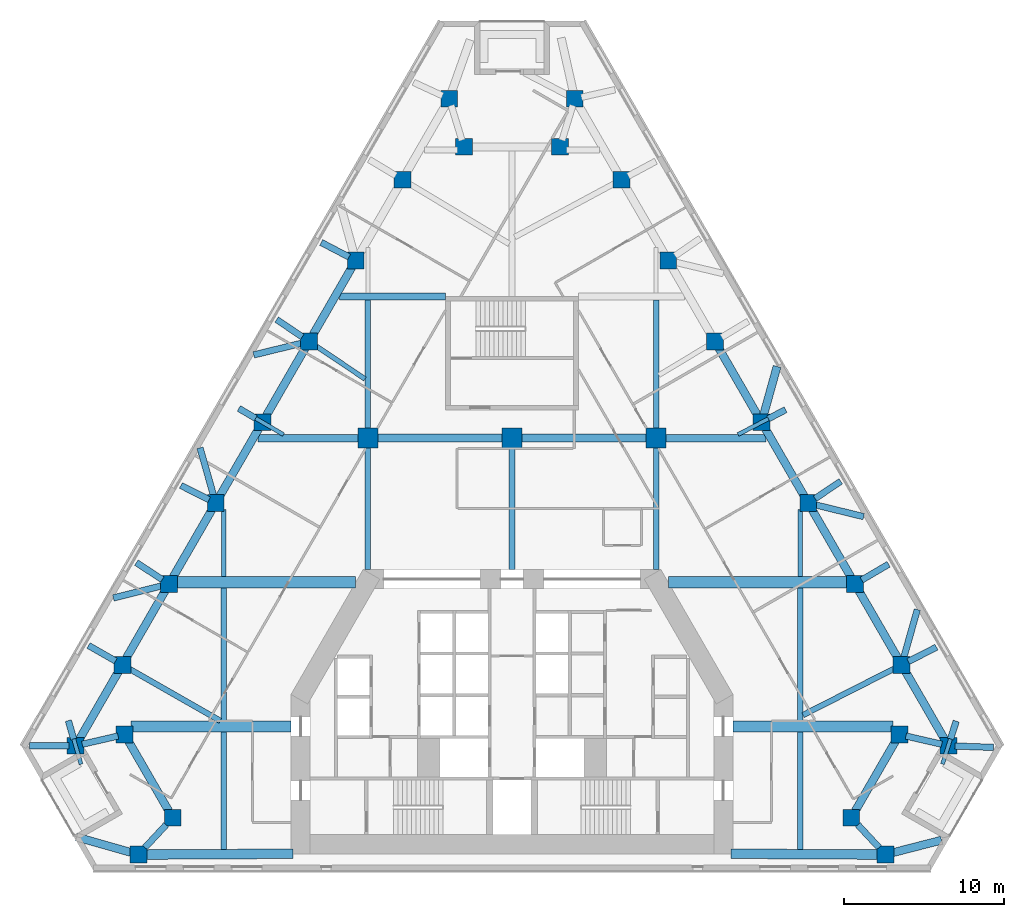
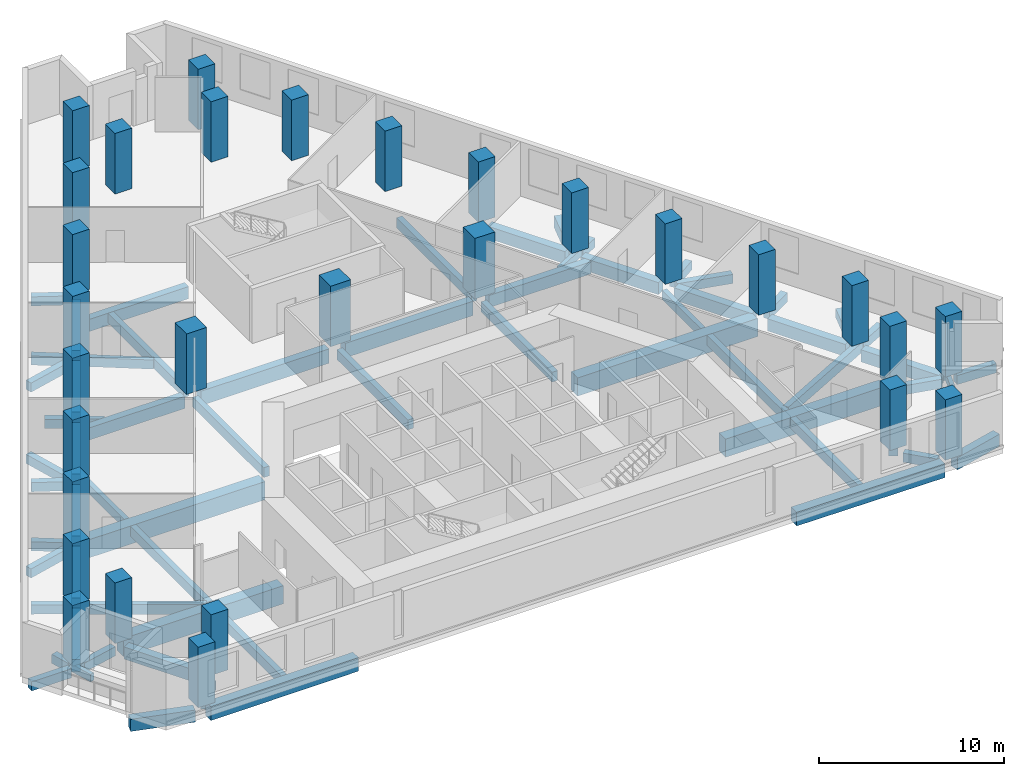
# One storey, part 1 of 9: 68 beams, 29 columns.
"""IFC4 building model written with IfcOpenShell, lengths in metres."""

from ifc_helpers import new_model, si_unit, direction, frame, origin, origin_2d, place, context, subcontext, project, spatial, rectangle, extrude, material, material_profile, profile_set, type_object, element, save


model = new_model("IFC4")

# Units and contexts
model_context = context("Model", 3, precision=1e-05, world=origin(), true_north=direction((0.0, 1.0)))
body_context = subcontext(model_context, "Body", "Model", "MODEL_VIEW")
ifc_project = project(units=[si_unit("LENGTHUNIT", "METRE"), si_unit("AREAUNIT", "SQUARE_METRE"), si_unit("VOLUMEUNIT", "CUBIC_METRE"), si_unit("PLANEANGLEUNIT", "RADIAN"), si_unit("MASSUNIT", "GRAM", prefix="KILO")], contexts=[model_context])

# Site, building, storey
site_placement = place(None, origin())
site = spatial("IfcSite", under=ifc_project, at=site_placement, CompositionType="ELEMENT")
building_placement = place(site_placement, origin())
building = spatial("IfcBuilding", under=site, at=building_placement, Name="Fogline Exchange Tower", CompositionType="ELEMENT")
storey_placement = place(building_placement, frame((0.0, 0.0, 96.10009765625)))
storey = spatial("IfcBuildingStorey", under=building, at=storey_placement, Name="L20", CompositionType="ELEMENT", Elevation=96.10009765625)

# Columns
ifc_material_1 = material(Name="Concrete C70", Category="concrete")
ifc_material_profile_1 = material_profile(ifc_material_1, rectangle(XDim=1.25, YDim=1.25, at=origin_2d()), Name="RC 1250x1250")
ifc_profile_set_1 = profile_set([ifc_material_profile_1], Name="Concrete C70")
column_type_1 = type_object("IfcColumnType", Name="C03", PredefinedType="COLUMN", material=ifc_profile_set_1)
for number, where, z_axis, x_axis, name in (
    (1, (-9.0, 27.0, 0.0), (0.0, 0.0, 1.0), (1.0, 0.0, 0.0), "IC--9-27"),
    (2, (0.0, 27.0, 0.0), (0.0, 0.0, 1.0), (1.0, 0.0, 0.0), "IC-0-27"),
    (3, (9.0, 27.0, 0.0), (0.0, 0.0, 1.0), (1.0, 0.0, 0.0), "IC-9-27"),
):
    element("IfcColumn", number, at=place(storey_placement, frame(where, z_axis=z_axis, x_axis=x_axis)), inside=storey, type_object=column_type_1, Name=name, PredefinedType="COLUMN", context=body_context, shape_type="SweptSolid", body=[
        extrude(rectangle(XDim=1.25, YDim=1.25, at=origin_2d()), origin(), (0.0, 0.0, 1.0), 4.0),
    ])
ifc_material_profile_2 = material_profile(ifc_material_1, rectangle(XDim=1.050048828125, YDim=1.050048828125, at=origin_2d()), Name="RC 1050x1050")
ifc_profile_set_2 = profile_set([ifc_material_profile_2], Name="Concrete C70")
column_type_2 = type_object("IfcColumnType", Name="C04", PredefinedType="COLUMN", material=ifc_profile_set_2)
for number, where, z_axis, x_axis, name in (
    (4, (-27.2490234375, 7.794189453125, 0.0), (0.0, 0.0, 1.0), (1.0, 0.0, 0.0), "SW-a"),
    (5, (-24.189697265625, 8.4951171875, 0.0), (0.0, 0.0, 1.0), (1.0, 0.0, 0.0), "SW-p4"),
    (6, (-21.189697265625, 3.299072265625, 0.0), (0.0, 0.0, 1.0), (1.0, 0.0, 0.0), "SW-p3"),
    (7, (-23.326416015625, 1.0, 0.0), (0.0, 0.0, 1.0), (1.0, 0.0, 0.0), "SW-b"),
    (8, (23.326416015625, 1.0, 0.0), (0.0, 0.0, 1.0), (1.0, 0.0, 0.0), "SE-a"),
    (9, (21.189697265625, 3.299072265625, 0.0), (0.0, 0.0, 1.0), (1.0, 0.0, 0.0), "SE-p4"),
    (10, (24.189697265625, 8.4951171875, 0.0), (0.0, 0.0, 1.0), (1.0, 0.0, 0.0), "SE-p3"),
    (11, (27.2490234375, 7.794189453125, 0.0), (0.0, 0.0, 1.0), (1.0, 0.0, 0.0), "SE-b"),
    (12, (24.333251953125, 12.844482421875, 0.0), (0.0, 0.0, 1.0), (1.0, 0.0, 0.0), "E1"),
    (13, (21.41748046875, 17.894775390625, 0.0), (0.0, 0.0, 1.0), (1.0, 0.0, 0.0), "E2"),
    (14, (18.501708984375, 22.945068359375, 0.0), (0.0, 0.0, 1.0), (1.0, 0.0, 0.0), "E3"),
    (15, (15.585693359375, 27.995361328125, 0.0), (0.0, 0.0, 1.0), (1.0, 0.0, 0.0), "E4"),
    (16, (12.669921875, 33.045654296875, 0.0), (0.0, 0.0, 1.0), (1.0, 0.0, 0.0), "E5"),
    (17, (9.754150390625, 38.095947265625, 0.0), (0.0, 0.0, 1.0), (1.0, 0.0, 0.0), "E6"),
    (18, (6.83837890625, 43.146240234375, 0.0), (0.0, 0.0, 1.0), (1.0, 0.0, 0.0), "E7"),
    (19, (3.922607421875, 48.19677734375, 0.0), (0.0, 0.0, 1.0), (1.0, 0.0, 0.0), "N-a"),
    (20, (3.0, 45.19677734375, 0.0), (0.0, 0.0, 1.0), (1.0, 0.0, 0.0), "N-p4"),
    (21, (-3.0, 45.19677734375, 0.0), (0.0, 0.0, 1.0), (1.0, 0.0, 0.0), "N-p3"),
    (22, (-3.922607421875, 48.19677734375, 0.0), (0.0, 0.0, 1.0), (1.0, 0.0, 0.0), "N-b"),
    (23, (-6.83837890625, 43.146240234375, 0.0), (0.0, 0.0, 1.0), (1.0, 0.0, 0.0), "W1"),
    (24, (-9.754150390625, 38.095947265625, 0.0), (0.0, 0.0, 1.0), (1.0, 0.0, 0.0), "W2"),
    (25, (-12.669921875, 33.045654296875, 0.0), (0.0, 0.0, 1.0), (1.0, 0.0, 0.0), "W3"),
    (26, (-15.585693359375, 27.995361328125, 0.0), (0.0, 0.0, 1.0), (1.0, 0.0, 0.0), "W4"),
    (27, (-18.501708984375, 22.945068359375, 0.0), (0.0, 0.0, 1.0), (1.0, 0.0, 0.0), "W5"),
    (28, (-21.41748046875, 17.894775390625, 0.0), (0.0, 0.0, 1.0), (1.0, 0.0, 0.0), "W6"),
    (29, (-24.333251953125, 12.844482421875, 0.0), (0.0, 0.0, 1.0), (1.0, 0.0, 0.0), "W7"),
):
    element("IfcColumn", number, at=place(storey_placement, frame(where, z_axis=z_axis, x_axis=x_axis)), inside=storey, type_object=column_type_2, Name=name, PredefinedType="COLUMN", context=body_context, shape_type="SweptSolid", body=[
        extrude(rectangle(XDim=1.050048828125, YDim=1.050048828125, at=origin_2d()), origin(), (0.0, 0.0, 1.0), 4.0),
    ])

# Beams
ifc_material_2 = material(Name="Concrete C40", Category="concrete")
ifc_material_profile_3 = material_profile(ifc_material_2, rectangle(XDim=0.300048828125, YDim=0.60009765625, at=origin_2d()), Name="RC 300x600")
ifc_profile_set_3 = profile_set([ifc_material_profile_3], Name="Concrete C40")
beam_type_1 = type_object("IfcBeamType", Name="B06", PredefinedType="BEAM", material=ifc_profile_set_3)
for number, where, z_axis, x_axis, name in (
    (30, (-18.0, 18.35009765625, -0.7001953125), (0.0, 1.0, 0.0), (-1.0, 0.0, 0.0), "SB003"),
    (31, (18.0, 18.35009765625, -0.7001953125), (0.0, 1.0, 0.0), (-1.0, 0.0, 0.0), "SB014"),
):
    element("IfcBeam", number, at=place(storey_placement, frame(where, z_axis=z_axis, x_axis=x_axis)), inside=storey, type_object=beam_type_1, Name=name, PredefinedType="BEAM", context=body_context, shape_type="SweptSolid", body=[
        extrude(rectangle(XDim=0.300048828125, YDim=0.60009765625, at=origin_2d()), origin(), (0.0, 0.0, 1.0), 4.18994140625),
    ])
beam_1_placement = place(storey_placement, frame((-13.195068359375, 33.39794921875, -0.7001953125), z_axis=(0.830401800017, -0.557165011939, 0.0), x_axis=(0.557165011939, 0.830401800017, 0.0)))
element("IfcBeam", 32, at=beam_1_placement, inside=storey, type_object=beam_type_1, Name="SK022", PredefinedType="BEAM", context=body_context, shape_type="SweptSolid", body=[
    extrude(rectangle(XDim=0.300048828125, YDim=0.60009765625, at=origin_2d()), origin(), (0.0, 0.0, 1.0), 4.841064453125),
])
ifc_material_profile_4 = material_profile(ifc_material_2, rectangle(XDim=0.25, YDim=0.5, at=origin_2d()), Name="RC 250x500")
ifc_profile_set_4 = profile_set([ifc_material_profile_4], Name="Concrete C40")
beam_type_2 = type_object("IfcBeamType", Name="B08", PredefinedType="BEAM", material=ifc_profile_set_4)
beam_2_placement = place(storey_placement, frame((-16.11083984375, 28.30322265625, -0.650146484375), z_axis=(0.8626635068, -0.505778285453, 0.0), x_axis=(0.505778285453, 0.8626635068, 0.0)))
element("IfcBeam", 33, at=beam_2_placement, inside=storey, type_object=beam_type_2, Name="SK016", PredefinedType="BEAM", context=body_context, shape_type="SweptSolid", body=[
    extrude(rectangle(XDim=0.25, YDim=0.5, at=origin_2d()), origin(), (0.0, 0.0, 1.0), 2.131591796875),
])
beam_3_placement = place(storey_placement, frame((16.11083984375, 28.27001953125, -0.650146484375), z_axis=(-0.886159772529, -0.463379819966, 0.0), x_axis=(0.463379819966, -0.886159772529, 0.0)))
element("IfcBeam", 34, at=beam_3_placement, inside=storey, type_object=beam_type_2, Name="SK020", PredefinedType="BEAM", context=body_context, shape_type="SweptSolid", body=[
    extrude(rectangle(XDim=0.25, YDim=0.5, at=origin_2d()), origin(), (0.0, 0.0, 1.0), 2.2548828125),
])
beam_4_placement = place(storey_placement, frame((-27.372314453125, 8.218505859375, -0.650146484375), z_axis=(0.279229948212, -0.9602242634, 0.0), x_axis=(0.9602242634, 0.279229948212, 0.0)))
element("IfcBeam", 35, at=beam_4_placement, inside=storey, type_object=beam_type_2, Name="SK023", PredefinedType="BEAM", context=body_context, shape_type="SweptSolid", body=[
    extrude(rectangle(XDim=0.25, YDim=0.5, at=origin_2d()), origin(), (0.0, 0.0, 1.0), 1.643798828125),
])
beam_5_placement = place(storey_placement, frame((27.385009765625, 8.220703125, -0.650146484375), z_axis=(-0.304008781424, -0.95266922949, 0.0), x_axis=(0.95266922949, -0.304008781424, 0.0)))
element("IfcBeam", 36, at=beam_5_placement, inside=storey, type_object=beam_type_2, Name="SK024", PredefinedType="BEAM", context=body_context, shape_type="SweptSolid", body=[
    extrude(rectangle(XDim=0.25, YDim=0.5, at=origin_2d()), origin(), (0.0, 0.0, 1.0), 1.65185546875),
])
ifc_material_profile_5 = material_profile(ifc_material_2, rectangle(XDim=0.60009765625, YDim=0.89990234375, at=origin_2d()), Name="RC 600x900")
ifc_profile_set_5 = profile_set([ifc_material_profile_5], Name="Concrete C40")
beam_type_3 = type_object("IfcBeamType", Name="B09", PredefinedType="BEAM", material=ifc_profile_set_5)
for number, where, z_axis, x_axis, name in (
    (37, (-22.92138671875, 0.998779296875, -0.85009765625), (0.999984168638, 0.005626941799, 0.0), (-0.005626941799, 0.999984168638, 0.0), "RB004"),
    (38, (13.679931640625, 1.05078125, -0.85009765625), (0.999984464538, -0.005574108314, 0.0), (0.005574108314, 0.999984464538, 0.0), "RB005"),
):
    element("IfcBeam", number, at=place(storey_placement, frame(where, z_axis=z_axis, x_axis=x_axis)), inside=storey, type_object=beam_type_3, Name=name, PredefinedType="BEAM", context=body_context, shape_type="SweptSolid", body=[
        extrude(rectangle(XDim=0.60009765625, YDim=0.89990234375, at=origin_2d()), origin(), (0.0, 0.0, 1.0), 9.24169921875),
    ])
ifc_material_profile_6 = material_profile(ifc_material_2, rectangle(XDim=0.5, YDim=0.800048828125, at=origin_2d()), Name="RC 500x800")
ifc_profile_set_6 = profile_set([ifc_material_profile_6], Name="Concrete C40")
beam_type_4 = type_object("IfcBeamType", Name="B10", PredefinedType="BEAM", material=ifc_profile_set_6)
for number, where, z_axis, x_axis, name in (
    (39, (-23.946533203125, 8.07421875, -0.800048828125), (0.500019495363, -0.866014147839, 0.0), (0.866014147839, 0.500019495363, 0.0), "RB002"),
    (40, (21.4326171875, 3.72021484375, -0.800048828125), (0.500019495363, 0.866014147839, 0.0), (-0.866014147839, 0.500019495363, 0.0), "RB007"),
):
    element("IfcBeam", number, at=place(storey_placement, frame(where, z_axis=z_axis, x_axis=x_axis)), inside=storey, type_object=beam_type_4, Name=name, PredefinedType="BEAM", context=body_context, shape_type="SweptSolid", body=[
        extrude(rectangle(XDim=0.5, YDim=0.800048828125, at=origin_2d()), origin(), (0.0, 0.0, 1.0), 5.027587890625),
    ])
beam_6_placement = place(storey_placement, frame((27.005859375, 8.21533203125, -0.800048828125), z_axis=(-0.499970359091, 0.866042516295, 0.0), x_axis=(-0.866042516295, -0.499970359091, 0.0)))
element("IfcBeam", 41, at=beam_6_placement, inside=storey, type_object=beam_type_4, Name="RB009", PredefinedType="BEAM", context=body_context, shape_type="SweptSolid", body=[
    extrude(rectangle(XDim=0.5, YDim=0.800048828125, at=origin_2d()), origin(), (0.0, 0.0, 1.0), 4.859130859375),
])
for number, where, z_axis, x_axis, name in (
    (42, (24.090087890625, 13.265625, -0.800048828125), (-0.500008041581, 0.866020760926, 0.0), (-0.866020760926, -0.500008041581, 0.0), "RB010"),
    (43, (21.17431640625, 18.31591796875, -0.800048828125), (-0.500008041581, 0.866020760926, 0.0), (-0.866020760926, -0.500008041581, 0.0), "RB011"),
    (44, (18.258544921875, 23.3662109375, -0.800048828125), (-0.500008041581, 0.866020760926, 0.0), (-0.866020760926, -0.500008041581, 0.0), "RB012"),
    (45, (15.3427734375, 28.41650390625, -0.800048828125), (-0.500008041581, 0.866020760926, 0.0), (-0.866020760926, -0.500008041581, 0.0), "RB013"),
    (46, (-9.997314453125, 37.675048828125, -0.800048828125), (-0.500008041581, -0.866020760926, 0.0), (0.866020760926, -0.500008041581, 0.0), "RB022"),
    (47, (-12.9130859375, 32.624755859375, -0.800048828125), (-0.500008041581, -0.866020760926, 0.0), (0.866020760926, -0.500008041581, 0.0), "RB023"),
    (48, (-15.828857421875, 27.574462890625, -0.800048828125), (-0.500008041581, -0.866020760926, 0.0), (0.866020760926, -0.500008041581, 0.0), "RB024"),
    (49, (-18.74462890625, 22.524169921875, -0.800048828125), (-0.500008041581, -0.866020760926, 0.0), (0.866020760926, -0.500008041581, 0.0), "RB025"),
    (50, (-21.660400390625, 17.473876953125, -0.800048828125), (-0.500008041581, -0.866020760926, 0.0), (0.866020760926, -0.500008041581, 0.0), "RB026"),
):
    element("IfcBeam", number, at=place(storey_placement, frame(where, z_axis=z_axis, x_axis=x_axis)), inside=storey, type_object=beam_type_4, Name=name, PredefinedType="BEAM", context=body_context, shape_type="SweptSolid", body=[
        extrude(rectangle(XDim=0.5, YDim=0.800048828125, at=origin_2d()), origin(), (0.0, 0.0, 1.0), 4.859375),
    ])
beam_7_placement = place(storey_placement, frame((-24.576416015625, 12.423583984375, -0.800048828125), z_axis=(-0.499970359091, -0.866042516295, 0.0), x_axis=(0.866042516295, -0.499970359091, 0.0)))
element("IfcBeam", 51, at=beam_7_placement, inside=storey, type_object=beam_type_4, Name="RB027", PredefinedType="BEAM", context=body_context, shape_type="SweptSolid", body=[
    extrude(rectangle(XDim=0.5, YDim=0.800048828125, at=origin_2d()), origin(), (0.0, 0.0, 1.0), 4.859130859375),
])
beam_8_placement = place(storey_placement, frame((-23.73583984375, 1.115966796875, -0.800048828125), z_axis=(-0.962158744205, 0.272489542828, 0.0), x_axis=(-0.272489542828, -0.962158744205, 0.0)))
element("IfcBeam", 52, at=beam_8_placement, inside=storey, type_object=beam_type_4, Name="SP030", PredefinedType="BEAM", context=body_context, shape_type="SweptSolid", body=[
    extrude(rectangle(XDim=0.5, YDim=0.800048828125, at=origin_2d()), origin(), (0.0, 0.0, 1.0), 3.59912109375),
])
beam_9_placement = place(storey_placement, frame((23.735107421875, 1.105224609375, -0.800048828125), z_axis=(0.968471290959, 0.24912518658, 0.0), x_axis=(-0.24912518658, 0.968471290959, 0.0)))
element("IfcBeam", 53, at=beam_9_placement, inside=storey, type_object=beam_type_4, Name="SP031", PredefinedType="BEAM", context=body_context, shape_type="SweptSolid", body=[
    extrude(rectangle(XDim=0.5, YDim=0.800048828125, at=origin_2d()), origin(), (0.0, 0.0, 1.0), 3.18798828125),
])
beam_10_placement = place(storey_placement, frame((15.699462890625, 28.40478515625, -0.800048828125), z_axis=(0.267584631836, 0.963534360988, 0.0), x_axis=(-0.963534360988, 0.267584631836, 0.0)))
element("IfcBeam", 54, at=beam_10_placement, inside=storey, type_object=beam_type_4, Name="SP059", PredefinedType="BEAM", context=body_context, shape_type="SweptSolid", body=[
    extrude(rectangle(XDim=0.5, YDim=0.800048828125, at=origin_2d()), origin(), (0.0, 0.0, 1.0), 3.188720703125),
])
ifc_material_profile_7 = material_profile(ifc_material_2, rectangle(XDim=0.39990234375, YDim=0.60009765625, at=origin_2d()), Name="RC 400x600")
ifc_profile_set_7 = profile_set([ifc_material_profile_7], Name="Concrete C40")
beam_type_5 = type_object("IfcBeamType", Name="B11", PredefinedType="BEAM", material=ifc_profile_set_7)
beam_11_placement = place(storey_placement, frame((-26.841064453125, 7.8876953125, -0.7001953125), z_axis=(0.974751081059, 0.223294267671, 0.0), x_axis=(-0.223294267671, 0.974751081059, 0.0)))
element("IfcBeam", 55, at=beam_11_placement, inside=storey, type_object=beam_type_5, Name="RB001", PredefinedType="BEAM", context=body_context, shape_type="SweptSolid", body=[
    extrude(rectangle(XDim=0.39990234375, YDim=0.60009765625, at=origin_2d()), origin(), (0.0, 0.0, 1.0), 2.301513671875),
])
for number, where, z_axis, x_axis, name in (
    (56, (-21.595703125, 2.86181640625, -0.7001953125), (-0.680845728707, -0.732426852117, 0.0), (0.732426852117, -0.680845728707, 0.0), "RB003"),
    (57, (22.920166015625, 1.43701171875, -0.7001953125), (-0.680845728707, 0.732426852117, 0.0), (-0.732426852117, -0.680845728707, 0.0), "RB006"),
):
    element("IfcBeam", number, at=place(storey_placement, frame(where, z_axis=z_axis, x_axis=x_axis)), inside=storey, type_object=beam_type_5, Name=name, PredefinedType="BEAM", context=body_context, shape_type="SweptSolid", body=[
        extrude(rectangle(XDim=0.39990234375, YDim=0.60009765625, at=origin_2d()), origin(), (0.0, 0.0, 1.0), 1.9453125),
    ])
beam_12_placement = place(storey_placement, frame((24.59765625, 8.401611328125, -0.7001953125), z_axis=(0.974751081059, -0.223294267671, 0.0), x_axis=(0.223294267671, 0.974751081059, 0.0)))
element("IfcBeam", 58, at=beam_12_placement, inside=storey, type_object=beam_type_5, Name="RB008", PredefinedType="BEAM", context=body_context, shape_type="SweptSolid", body=[
    extrude(rectangle(XDim=0.39990234375, YDim=0.60009765625, at=origin_2d()), origin(), (0.0, 0.0, 1.0), 2.301513671875),
])
beam_13_placement = place(storey_placement, frame((-27.654052734375, 7.794189453125, -0.7001953125), z_axis=(-1.0, 0.0, 0.0), x_axis=(0.0, -1.0, 0.0)))
element("IfcBeam", 59, at=beam_13_placement, inside=storey, type_object=beam_type_5, Name="SP032", PredefinedType="BEAM", context=body_context, shape_type="SweptSolid", body=[
    extrude(rectangle(XDim=0.39990234375, YDim=0.60009765625, at=origin_2d()), origin(), (0.0, 0.0, 1.0), 2.48388671875),
])
beam_14_placement = place(storey_placement, frame((27.654052734375, 7.779296875, -0.7001953125), z_axis=(0.999307612951, -0.037206111045, 0.0), x_axis=(0.037206111045, 0.999307612951, 0.0)))
element("IfcBeam", 60, at=beam_14_placement, inside=storey, type_object=beam_type_5, Name="SP033", PredefinedType="BEAM", context=body_context, shape_type="SweptSolid", body=[
    extrude(rectangle(XDim=0.39990234375, YDim=0.60009765625, at=origin_2d()), origin(), (0.0, 0.0, 1.0), 2.414794921875),
])
beam_15_placement = place(storey_placement, frame((-24.75390625, 13.084716796875, -0.7001953125), z_axis=(-0.868381750454, 0.495896295085, 0.0), x_axis=(-0.495896295085, -0.868381750454, 0.0)))
element("IfcBeam", 61, at=beam_15_placement, inside=storey, type_object=beam_type_5, Name="SP035", PredefinedType="BEAM", context=body_context, shape_type="SweptSolid", body=[
    extrude(rectangle(XDim=0.39990234375, YDim=0.60009765625, at=origin_2d()), origin(), (0.0, 0.0, 1.0), 1.95068359375),
])
beam_16_placement = place(storey_placement, frame((-16.00732421875, 28.24267578125, -0.7001953125), z_axis=(-0.862710012371, 0.505698956451, 0.0), x_axis=(-0.505698956451, -0.862710012371, 0.0)))
element("IfcBeam", 62, at=beam_16_placement, inside=storey, type_object=beam_type_5, Name="SP036", PredefinedType="BEAM", context=body_context, shape_type="SweptSolid", body=[
    extrude(rectangle(XDim=0.39990234375, YDim=0.60009765625, at=origin_2d()), origin(), (0.0, 0.0, 1.0), 1.219970703125),
])
beam_17_placement = place(storey_placement, frame((21.8388671875, 18.142333984375, -0.7001953125), z_axis=(0.862291946909, 0.506411491078, 0.0), x_axis=(-0.506411491078, 0.862291946909, 0.0)))
element("IfcBeam", 63, at=beam_17_placement, inside=storey, type_object=beam_type_5, Name="SP037", PredefinedType="BEAM", context=body_context, shape_type="SweptSolid", body=[
    extrude(rectangle(XDim=0.39990234375, YDim=0.60009765625, at=origin_2d()), origin(), (0.0, 0.0, 1.0), 1.9462890625),
])
beam_18_placement = place(storey_placement, frame((16.00439453125, 28.21435546875, -0.7001953125), z_axis=(0.886156359679, 0.463386346583, 0.0), x_axis=(-0.463386346583, 0.886156359679, 0.0)))
element("IfcBeam", 64, at=beam_18_placement, inside=storey, type_object=beam_type_5, Name="SP041", PredefinedType="BEAM", context=body_context, shape_type="SweptSolid", body=[
    extrude(rectangle(XDim=0.39990234375, YDim=0.60009765625, at=origin_2d()), origin(), (0.0, 0.0, 1.0), 1.22021484375),
])
beam_19_placement = place(storey_placement, frame((-10.1728515625, 38.314697265625, -0.7001953125), z_axis=(-0.886489579904, 0.462748554532, 0.0), x_axis=(-0.462748554532, -0.886489579904, 0.0)))
element("IfcBeam", 65, at=beam_19_placement, inside=storey, type_object=beam_type_5, Name="SP042", PredefinedType="BEAM", context=body_context, shape_type="SweptSolid", body=[
    extrude(rectangle(XDim=0.39990234375, YDim=0.60009765625, at=origin_2d()), origin(), (0.0, 0.0, 1.0), 1.96533203125),
])
beam_20_placement = place(storey_placement, frame((24.751220703125, 13.05712890625, -0.7001953125), z_axis=(0.891433491265, 0.453151553733, 0.0), x_axis=(-0.453151553733, 0.891433491265, 0.0)))
element("IfcBeam", 66, at=beam_20_placement, inside=storey, type_object=beam_type_5, Name="SP043", PredefinedType="BEAM", context=body_context, shape_type="SweptSolid", body=[
    extrude(rectangle(XDim=0.39990234375, YDim=0.60009765625, at=origin_2d()), origin(), (0.0, 0.0, 1.0), 1.97021484375),
])
beam_21_placement = place(storey_placement, frame((-18.919677734375, 23.1572265625, -0.7001953125), z_axis=(-0.891659844747, 0.452705998708, 0.0), x_axis=(-0.452705998708, -0.891659844747, 0.0)))
element("IfcBeam", 67, at=beam_21_placement, inside=storey, type_object=beam_type_5, Name="SP044", PredefinedType="BEAM", context=body_context, shape_type="SweptSolid", body=[
    extrude(rectangle(XDim=0.39990234375, YDim=0.60009765625, at=origin_2d()), origin(), (0.0, 0.0, 1.0), 1.970458984375),
])
beam_22_placement = place(storey_placement, frame((-21.842041015625, 18.172607421875, -0.7001953125), z_axis=(-0.83672467592, 0.547623791217, 0.0), x_axis=(-0.547623791217, -0.83672467592, 0.0)))
element("IfcBeam", 68, at=beam_22_placement, inside=storey, type_object=beam_type_5, Name="SP045", PredefinedType="BEAM", context=body_context, shape_type="SweptSolid", body=[
    extrude(rectangle(XDim=0.39990234375, YDim=0.60009765625, at=origin_2d()), origin(), (0.0, 0.0, 1.0), 1.93212890625),
])
beam_23_placement = place(storey_placement, frame((-13.095458984375, 33.3310546875, -0.7001953125), z_axis=(-0.83033321532, 0.557267217353, 0.0), x_axis=(-0.557267217353, -0.83033321532, 0.0)))
element("IfcBeam", 69, at=beam_23_placement, inside=storey, type_object=beam_type_5, Name="SP046", PredefinedType="BEAM", context=body_context, shape_type="SweptSolid", body=[
    extrude(rectangle(XDim=0.39990234375, YDim=0.60009765625, at=origin_2d()), origin(), (0.0, 0.0, 1.0), 1.929443359375),
])
beam_24_placement = place(storey_placement, frame((18.927001953125, 23.23095703125, -0.7001953125), z_axis=(0.830039531016, 0.557704560633, 0.0), x_axis=(-0.557704560633, 0.830039531016, 0.0)))
element("IfcBeam", 70, at=beam_24_placement, inside=storey, type_object=beam_type_5, Name="SP047", PredefinedType="BEAM", context=body_context, shape_type="SweptSolid", body=[
    extrude(rectangle(XDim=0.39990234375, YDim=0.60009765625, at=origin_2d()), origin(), (0.0, 0.0, 1.0), 1.92919921875),
])
beam_25_placement = place(storey_placement, frame((-27.3681640625, 8.2041015625, -0.7001953125), z_axis=(-0.279278763859, 0.96021006663, 0.0), x_axis=(-0.96021006663, -0.279278763859, 0.0)))
element("IfcBeam", 71, at=beam_25_placement, inside=storey, type_object=beam_type_5, Name="SP050", PredefinedType="BEAM", context=body_context, shape_type="SweptSolid", body=[
    extrude(rectangle(XDim=0.39990234375, YDim=0.60009765625, at=origin_2d()), origin(), (0.0, 0.0, 1.0), 1.208984375),
])
beam_26_placement = place(storey_placement, frame((27.380126953125, 8.204833984375, -0.7001953125), z_axis=(0.30402027351, 0.952665562144, 0.0), x_axis=(-0.952665562144, 0.30402027351, 0.0)))
element("IfcBeam", 72, at=beam_26_placement, inside=storey, type_object=beam_type_5, Name="SP051", PredefinedType="BEAM", context=body_context, shape_type="SweptSolid", body=[
    extrude(rectangle(XDim=0.39990234375, YDim=0.60009765625, at=origin_2d()), origin(), (0.0, 0.0, 1.0), 1.1845703125),
])
beam_27_placement = place(storey_placement, frame((24.449462890625, 13.254150390625, -0.7001953125), z_axis=(0.273294127819, 0.961930517085, 0.0), x_axis=(-0.961930517085, 0.273294127819, 0.0)))
element("IfcBeam", 73, at=beam_27_placement, inside=storey, type_object=beam_type_5, Name="SP052", PredefinedType="BEAM", context=body_context, shape_type="SweptSolid", body=[
    extrude(rectangle(XDim=0.39990234375, YDim=0.60009765625, at=origin_2d()), origin(), (0.0, 0.0, 1.0), 3.1640625),
])
beam_28_placement = place(storey_placement, frame((-21.825927734375, 17.79248046875, -0.7001953125), z_axis=(-0.970019803281, -0.243025885952, 0.0), x_axis=(0.243025885952, -0.970019803281, 0.0)))
element("IfcBeam", 74, at=beam_28_placement, inside=storey, type_object=beam_type_5, Name="SP053", PredefinedType="BEAM", context=body_context, shape_type="SweptSolid", body=[
    extrude(rectangle(XDim=0.39990234375, YDim=0.60009765625, at=origin_2d()), origin(), (0.0, 0.0, 1.0), 3.163330078125),
])
beam_29_placement = place(storey_placement, frame((18.909912109375, 22.845703125, -0.7001953125), z_axis=(0.971543911095, -0.236859512822, 0.0), x_axis=(0.236859512822, 0.971543911095, 0.0)))
element("IfcBeam", 75, at=beam_29_placement, inside=storey, type_object=beam_type_5, Name="SP055", PredefinedType="BEAM", context=body_context, shape_type="SweptSolid", body=[
    extrude(rectangle(XDim=0.39990234375, YDim=0.60009765625, at=origin_2d()), origin(), (0.0, 0.0, 1.0), 3.1396484375),
])
beam_30_placement = place(storey_placement, frame((-13.07861328125, 32.946044921875, -0.7001953125), z_axis=(-0.971445212169, -0.237263987479, 0.0), x_axis=(0.237263987479, -0.971445212169, 0.0)))
element("IfcBeam", 76, at=beam_30_placement, inside=storey, type_object=beam_type_5, Name="SP057", PredefinedType="BEAM", context=body_context, shape_type="SweptSolid", body=[
    extrude(rectangle(XDim=0.39990234375, YDim=0.60009765625, at=origin_2d()), origin(), (0.0, 0.0, 1.0), 3.140380859375),
])
beam_31_placement = place(storey_placement, frame((-18.6181640625, 23.354736328125, -0.7001953125), z_axis=(-0.273558719189, 0.961855304688, 0.0), x_axis=(-0.961855304688, -0.273558719189, 0.0)))
element("IfcBeam", 77, at=beam_31_placement, inside=storey, type_object=beam_type_5, Name="SP058", PredefinedType="BEAM", context=body_context, shape_type="SweptSolid", body=[
    extrude(rectangle(XDim=0.39990234375, YDim=0.60009765625, at=origin_2d()), origin(), (0.0, 0.0, 1.0), 3.162841796875),
])
ifc_material_profile_8 = material_profile(ifc_material_2, rectangle(XDim=0.5, YDim=0.949951171875, at=origin_2d()), Name="RC 500x950")
ifc_profile_set_8 = profile_set([ifc_material_profile_8], Name="Concrete C40")
beam_type_6 = type_object("IfcBeamType", Name="B14", PredefinedType="BEAM", material=ifc_profile_set_8)
for number, where, z_axis, x_axis, name in (
    (78, (-8.4951171875, 27.0, -0.875), (1.0, 0.0, 0.0), (0.0, 1.0, 0.0), "GB006"),
    (79, (0.5048828125, 27.0, -0.875), (1.0, 0.0, 0.0), (0.0, 1.0, 0.0), "GB007"),
):
    element("IfcBeam", number, at=place(storey_placement, frame(where, z_axis=z_axis, x_axis=x_axis)), inside=storey, type_object=beam_type_6, Name=name, PredefinedType="BEAM", context=body_context, shape_type="SweptSolid", body=[
        extrude(rectangle(XDim=0.5, YDim=0.949951171875, at=origin_2d()), origin(), (0.0, 0.0, 1.0), 7.990234375),
    ])
ifc_material_profile_9 = material_profile(ifc_material_2, rectangle(XDim=0.35009765625, YDim=0.64990234375, at=origin_2d()), Name="RC 350x650")
ifc_profile_set_9 = profile_set([ifc_material_profile_9], Name="Concrete C40")
beam_type_7 = type_object("IfcBeamType", Name="B16", PredefinedType="BEAM", material=ifc_profile_set_9)
beam_32_placement = place(storey_placement, frame((-18.0, 1.32763671875, -0.72509765625), z_axis=(0.0, 1.0, 0.0), x_axis=(-1.0, 0.0, 0.0)))
element("IfcBeam", 80, at=beam_32_placement, inside=storey, type_object=beam_type_7, Name="SB001", PredefinedType="BEAM", context=body_context, shape_type="SweptSolid", body=[
    extrude(rectangle(XDim=0.35009765625, YDim=0.64990234375, at=origin_2d()), origin(), (0.0, 0.0, 1.0), 7.322265625),
])
beam_33_placement = place(storey_placement, frame((-18.0, 9.35009765625, -0.72509765625), z_axis=(0.0, 1.0, 0.0), x_axis=(-1.0, 0.0, 0.0)))
element("IfcBeam", 81, at=beam_33_placement, inside=storey, type_object=beam_type_7, Name="SB002", PredefinedType="BEAM", context=body_context, shape_type="SweptSolid", body=[
    extrude(rectangle(XDim=0.35009765625, YDim=0.64990234375, at=origin_2d()), origin(), (0.0, 0.0, 1.0), 8.2998046875),
])
beam_34_placement = place(storey_placement, frame((-9.0, 18.800048828125, -0.72509765625), z_axis=(0.0, 1.0, 0.0), x_axis=(-1.0, 0.0, 0.0)))
element("IfcBeam", 82, at=beam_34_placement, inside=storey, type_object=beam_type_7, Name="SB004", PredefinedType="BEAM", context=body_context, shape_type="SweptSolid", body=[
    extrude(rectangle(XDim=0.35009765625, YDim=0.64990234375, at=origin_2d()), origin(), (0.0, 0.0, 1.0), 7.695068359375),
])
beam_35_placement = place(storey_placement, frame((-9.0, 27.5048828125, -0.72509765625), z_axis=(0.0, 1.0, 0.0), x_axis=(-1.0, 0.0, 0.0)))
element("IfcBeam", 83, at=beam_35_placement, inside=storey, type_object=beam_type_7, Name="SB005", PredefinedType="BEAM", context=body_context, shape_type="SweptSolid", body=[
    extrude(rectangle(XDim=0.35009765625, YDim=0.64990234375, at=origin_2d()), origin(), (0.0, 0.0, 1.0), 8.127197265625),
])
for number, where, z_axis, x_axis, name in (
    (84, (0.0, 18.800048828125, -0.72509765625), (0.0, 1.0, 0.0), (-1.0, 0.0, 0.0), "SB007"),
    (85, (9.0, 18.800048828125, -0.72509765625), (0.0, 1.0, 0.0), (-1.0, 0.0, 0.0), "SB009"),
):
    element("IfcBeam", number, at=place(storey_placement, frame(where, z_axis=z_axis, x_axis=x_axis)), inside=storey, type_object=beam_type_7, Name=name, PredefinedType="BEAM", context=body_context, shape_type="SweptSolid", body=[
        extrude(rectangle(XDim=0.35009765625, YDim=0.64990234375, at=origin_2d()), origin(), (0.0, 0.0, 1.0), 7.695068359375),
    ])
beam_36_placement = place(storey_placement, frame((9.0, 27.5048828125, -0.72509765625), z_axis=(0.0, 1.0, 0.0), x_axis=(-1.0, 0.0, 0.0)))
element("IfcBeam", 86, at=beam_36_placement, inside=storey, type_object=beam_type_7, Name="SB010", PredefinedType="BEAM", context=body_context, shape_type="SweptSolid", body=[
    extrude(rectangle(XDim=0.35009765625, YDim=0.64990234375, at=origin_2d()), origin(), (0.0, 0.0, 1.0), 8.127197265625),
])
beam_37_placement = place(storey_placement, frame((18.0, 1.327880859375, -0.72509765625), z_axis=(0.0, 1.0, 0.0), x_axis=(-1.0, 0.0, 0.0)))
element("IfcBeam", 87, at=beam_37_placement, inside=storey, type_object=beam_type_7, Name="SB012", PredefinedType="BEAM", context=body_context, shape_type="SweptSolid", body=[
    extrude(rectangle(XDim=0.35009765625, YDim=0.64990234375, at=origin_2d()), origin(), (0.0, 0.0, 1.0), 7.322021484375),
])
beam_38_placement = place(storey_placement, frame((18.0, 9.35009765625, -0.72509765625), z_axis=(0.0, 1.0, 0.0), x_axis=(-1.0, 0.0, 0.0)))
element("IfcBeam", 88, at=beam_38_placement, inside=storey, type_object=beam_type_7, Name="SB013", PredefinedType="BEAM", context=body_context, shape_type="SweptSolid", body=[
    extrude(rectangle(XDim=0.35009765625, YDim=0.64990234375, at=origin_2d()), origin(), (0.0, 0.0, 1.0), 8.2998046875),
])
beam_39_placement = place(storey_placement, frame((-24.858154296875, 13.144287109375, -0.72509765625), z_axis=(0.86838644813, -0.495888068726, 0.0), x_axis=(0.495888068726, 0.86838644813, 0.0)))
element("IfcBeam", 89, at=beam_39_placement, inside=storey, type_object=beam_type_7, Name="SK015", PredefinedType="BEAM", context=body_context, shape_type="SweptSolid", body=[
    extrude(rectangle(XDim=0.35009765625, YDim=0.64990234375, at=origin_2d()), origin(), (0.0, 0.0, 1.0), 7.6513671875),
])
beam_40_placement = place(storey_placement, frame((24.858154296875, 13.111572265625, -0.72509765625), z_axis=(-0.891398063146, -0.453221240698, 0.0), x_axis=(0.453221240698, -0.891398063146, 0.0)))
element("IfcBeam", 90, at=beam_40_placement, inside=storey, type_object=beam_type_7, Name="SK021", PredefinedType="BEAM", context=body_context, shape_type="SweptSolid", body=[
    extrude(rectangle(XDim=0.35009765625, YDim=0.64990234375, at=origin_2d()), origin(), (0.0, 0.0, 1.0), 7.497314453125),
])
ifc_material_profile_10 = material_profile(ifc_material_2, rectangle(XDim=0.699951171875, YDim=1.199951171875, at=origin_2d()), Name="RC 700x1200")
ifc_profile_set_10 = profile_set([ifc_material_profile_10], Name="Concrete C40")
beam_type_8 = type_object("IfcBeamType", Name="B17", PredefinedType="BEAM", material=ifc_profile_set_10)
for number, where, z_axis, x_axis, name in (
    (91, (-23.78466796875, 9.0, -1.0), (1.0, 0.0, 0.0), (0.0, 1.0, 0.0), "GB001"),
    (92, (13.800048828125, 9.0, -1.0), (1.0, 0.0, 0.0), (0.0, 1.0, 0.0), "GB002"),
):
    element("IfcBeam", number, at=place(storey_placement, frame(where, z_axis=z_axis, x_axis=x_axis)), inside=storey, type_object=beam_type_8, Name=name, PredefinedType="BEAM", context=body_context, shape_type="SweptSolid", body=[
        extrude(rectangle(XDim=0.699951171875, YDim=1.199951171875, at=origin_2d()), origin(), (0.0, 0.0, 1.0), 9.984619140625),
    ])
for number, where, z_axis, x_axis, name in (
    (93, (-21.012451171875, 18.0, -1.0), (1.0, 0.0, 0.0), (0.0, 1.0, 0.0), "GB003"),
    (94, (9.758056640625, 18.0, -1.0), (1.0, 0.0, 0.0), (0.0, 1.0, 0.0), "GB004"),
):
    element("IfcBeam", number, at=place(storey_placement, frame(where, z_axis=z_axis, x_axis=x_axis)), inside=storey, type_object=beam_type_8, Name=name, PredefinedType="BEAM", context=body_context, shape_type="SweptSolid", body=[
        extrude(rectangle(XDim=0.699951171875, YDim=1.199951171875, at=origin_2d()), origin(), (0.0, 0.0, 1.0), 11.25439453125),
    ])
ifc_material_profile_11 = material_profile(ifc_material_2, rectangle(XDim=0.449951171875, YDim=0.800048828125, at=origin_2d()), Name="RC 450x800")
ifc_profile_set_11 = profile_set([ifc_material_profile_11], Name="Concrete C40")
beam_type_9 = type_object("IfcBeamType", Name="B18", PredefinedType="BEAM", material=ifc_profile_set_11)
for number, where, z_axis, x_axis, name in (
    (95, (-15.871826171875, 27.0, -0.800048828125), (1.0, 0.0, 0.0), (0.0, 1.0, 0.0), "GB005"),
    (96, (9.5048828125, 27.0, -0.800048828125), (1.0, 0.0, 0.0), (0.0, 1.0, 0.0), "GB008"),
):
    element("IfcBeam", number, at=place(storey_placement, frame(where, z_axis=z_axis, x_axis=x_axis)), inside=storey, type_object=beam_type_9, Name=name, PredefinedType="BEAM", context=body_context, shape_type="SweptSolid", body=[
        extrude(rectangle(XDim=0.449951171875, YDim=0.800048828125, at=origin_2d()), origin(), (0.0, 0.0, 1.0), 6.366943359375),
    ])
beam_41_placement = place(storey_placement, frame((-10.75830078125, 35.85693359375, -0.800048828125), z_axis=(1.0, 0.0, 0.0), x_axis=(0.0, 1.0, 0.0)))
element("IfcBeam", 97, at=beam_41_placement, inside=storey, type_object=beam_type_9, Name="GB009", PredefinedType="BEAM", context=body_context, shape_type="SweptSolid", body=[
    extrude(rectangle(XDim=0.449951171875, YDim=0.800048828125, at=origin_2d()), origin(), (0.0, 0.0, 1.0), 6.6083984375),
])

save(model, "model.ifc")
